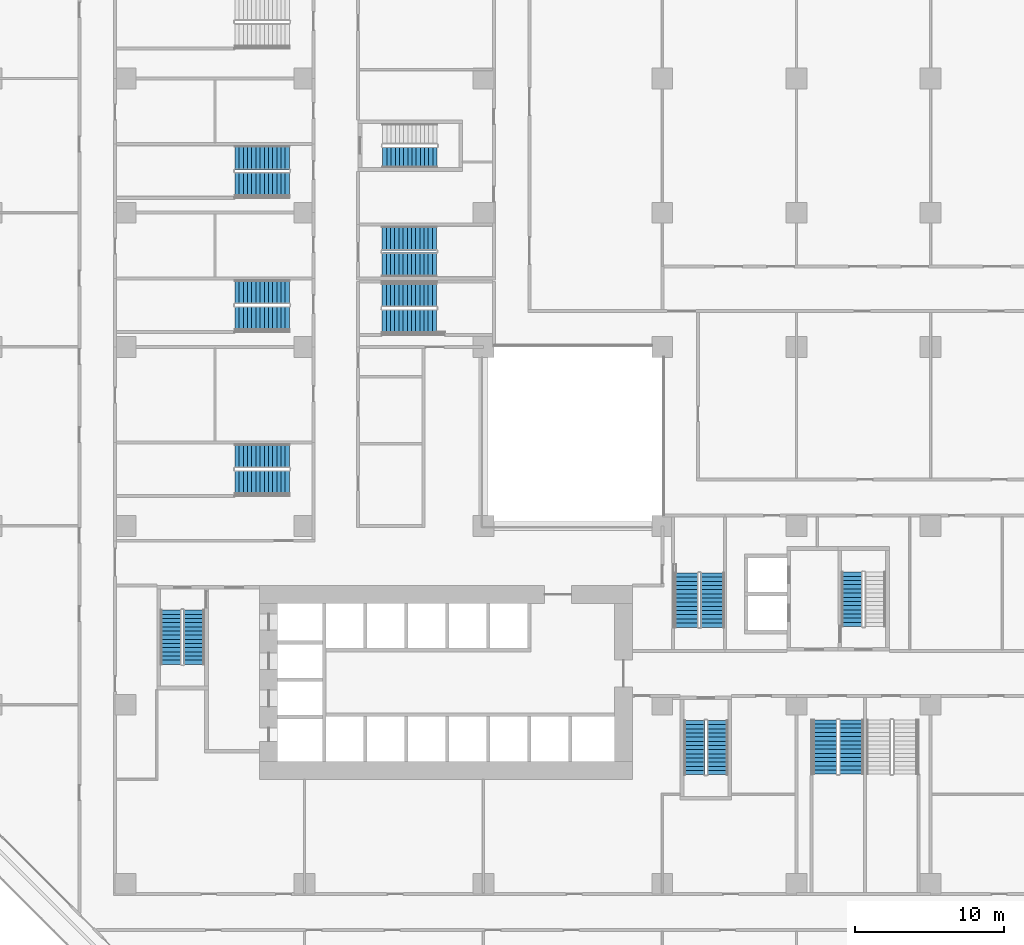
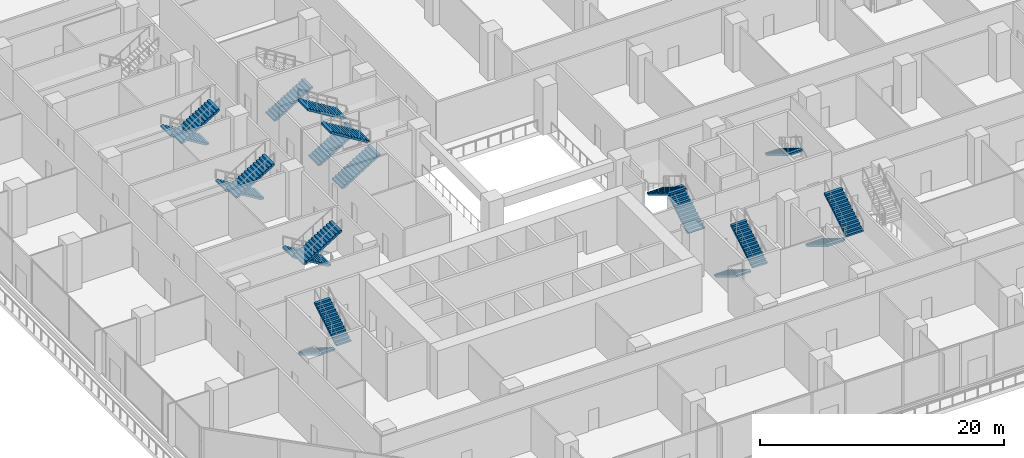
# One storey, part 23 of 31: 20 stair flights, 11 elements without a shape of their own.
"""IFC4 building model written with IfcOpenShell, lengths in metres."""

from ifc_helpers import new_model, si_unit, direction, frame, origin, place, context, subcontext, project, spatial, polyline, outline, extrude, material, type_object, element, aggregate, save


model = new_model("IFC4")

# Units and contexts
model_context = context("Model", 3, precision=1e-05, world=origin(), true_north=direction((0.0, 1.0)))
body_context = subcontext(model_context, "Body", "Model", "MODEL_VIEW")
ifc_project = project(units=[si_unit("LENGTHUNIT", "METRE"), si_unit("AREAUNIT", "SQUARE_METRE"), si_unit("VOLUMEUNIT", "CUBIC_METRE"), si_unit("PLANEANGLEUNIT", "RADIAN"), si_unit("MASSUNIT", "GRAM", prefix="KILO")], contexts=[model_context])

# Site, building, storey
site_placement = place(None, origin())
site = spatial("IfcSite", under=ifc_project, at=site_placement, CompositionType="ELEMENT")
building_placement = place(site_placement, origin())
building = spatial("IfcBuilding", under=site, at=building_placement, Name="Chenar Terraces", CompositionType="ELEMENT")
storey_placement = place(building_placement, frame((0.0, 0.0, 7.199951171875)))
storey = spatial("IfcBuildingStorey", under=building, at=storey_placement, Name="L01", CompositionType="ELEMENT", Elevation=7.199951171875)

# Stair, stair flights
ifc_material_1 = material(Name="Reinforced concrete C40/50", Category="concrete")
stair_type = type_object("IfcStairType", Name="Core stair 1400 half-turn", PredefinedType="HALF_TURN_STAIR", material=ifc_material_1)
placement = place(storey_placement, origin())
stair_1 = element("IfcStair", 1, at=placement, inside=storey, type_object=stair_type, Name="L01 Stair 1", PredefinedType="HALF_TURN_STAIR")
ifc_material_2 = material(Name="Reinforced concrete C40/50", Category="concrete")
stair_flight_type = type_object("IfcStairFlightType", Name="Core stair flight 1400", PredefinedType="STRAIGHT", material=ifc_material_2)
stair_flight_1_placement = place(storey_placement, frame((3.050048828125, 18.35009765625, 0.0), z_axis=(0.0, 0.0, 1.0), x_axis=(0.0, -1.0, 0.0)))
stair_flight_1 = element("IfcStairFlight", 2, at=stair_flight_1_placement, type_object=stair_flight_type, Name="ST1 flight 1", NumberOfRisers=14, NumberOfTreads=13, PredefinedType="STRAIGHT", RiserHeight=0.171428571, TreadLength=0.28, context=body_context, shape_type="SweptSolid", body=[
    extrude(outline(polyline([(-0.0029296875, 0.0), (-0.0029296875, 0.17138671875), (0.0, 0.17138671875), (0.280029296875, 0.17138671875), (0.280029296875, 0.3427734375), (0.56005859375, 0.3427734375), (0.56005859375, 0.514404296875), (0.840087890625, 0.514404296875), (0.840087890625, 0.685791015625), (1.1201171875, 0.685791015625), (1.1201171875, 0.857177734375), (1.39990234375, 0.857177734375), (1.39990234375, 1.028564453125), (1.679931640625, 1.028564453125), (1.679931640625, 1.199951171875), (1.9599609375, 1.199951171875), (1.9599609375, 1.371337890625), (2.239990234375, 1.371337890625), (2.239990234375, 1.54296875), (2.52001953125, 1.54296875), (2.52001953125, 1.71435546875), (2.800048828125, 1.71435546875), (2.800048828125, 1.8857421875), (3.080078125, 1.8857421875), (3.080078125, 2.05712890625), (3.360107421875, 2.05712890625), (3.360107421875, 2.228515625), (3.639892578125, 2.228515625), (3.64306640625, 2.228515625), (3.64306640625, 2.052734375), (3.639892578125, 2.052734375), (0.287109375, 0.0), (-0.0029296875, 0.0)])), frame((0.0, 0.699951171875, 0.0), z_axis=(0.0, -1.0, 0.0), x_axis=(1.0, 0.0, 0.0)), (0.0, 0.0, 1.0), 1.39990234375),
])
stair_flight_2_placement = place(storey_placement, frame((4.60009765625, 14.7099609375, 2.400146484375), z_axis=(0.0, 0.0, 1.0), x_axis=(0.0, 1.0, 0.0)))
stair_flight_2 = element("IfcStairFlight", 3, at=stair_flight_2_placement, type_object=stair_flight_type, Name="ST1 flight 2", NumberOfRisers=14, NumberOfTreads=13, PredefinedType="STRAIGHT", RiserHeight=0.171428571, TreadLength=0.28, context=body_context, shape_type="SweptSolid", body=[
    extrude(outline(polyline([(-0.0029296875, 0.0), (-0.0029296875, 0.17138671875), (0.0, 0.17138671875), (0.280029296875, 0.17138671875), (0.280029296875, 0.3427734375), (0.56005859375, 0.3427734375), (0.56005859375, 0.514404296875), (0.840087890625, 0.514404296875), (0.840087890625, 0.685791015625), (1.1201171875, 0.685791015625), (1.1201171875, 0.857177734375), (1.39990234375, 0.857177734375), (1.39990234375, 1.028564453125), (1.679931640625, 1.028564453125), (1.679931640625, 1.199951171875), (1.9599609375, 1.199951171875), (1.9599609375, 1.371337890625), (2.239990234375, 1.371337890625), (2.239990234375, 1.54296875), (2.52001953125, 1.54296875), (2.52001953125, 1.71435546875), (2.800048828125, 1.71435546875), (2.800048828125, 1.8857421875), (3.080078125, 1.8857421875), (3.080078125, 2.05712890625), (3.360107421875, 2.05712890625), (3.360107421875, 2.228515625), (3.639892578125, 2.228515625), (3.64306640625, 2.228515625), (3.64306640625, 2.052734375), (3.639892578125, 2.052734375), (0.287109375, 0.0), (-0.0029296875, 0.0)])), frame((0.0, 0.699951171875, 0.0), z_axis=(0.0, -1.0, 0.0), x_axis=(1.0, 0.0, 0.0)), (0.0, 0.0, 1.0), 1.39990234375),
])
aggregate(stair_1, [stair_flight_1, stair_flight_2])

stair_2 = element("IfcStair", 4, at=placement, inside=storey, type_object=stair_type, Name="L01 Stair 2", PredefinedType="HALF_TURN_STAIR")
stair_flight_3_placement = place(storey_placement, frame((38.14990234375, 10.949951171875, 0.0), z_axis=(0.0, 0.0, 1.0), x_axis=(0.0, -1.0, 0.0)))
stair_flight_3 = element("IfcStairFlight", 5, at=stair_flight_3_placement, type_object=stair_flight_type, Name="ST2 flight 1", NumberOfRisers=14, NumberOfTreads=13, PredefinedType="STRAIGHT", RiserHeight=0.171428571, TreadLength=0.28, context=body_context, shape_type="SweptSolid", body=[
    extrude(outline(polyline([(-0.0029296875, 0.0), (-0.0029296875, 0.17138671875), (0.0, 0.17138671875), (0.280029296875, 0.17138671875), (0.280029296875, 0.3427734375), (0.56005859375, 0.3427734375), (0.56005859375, 0.514404296875), (0.840087890625, 0.514404296875), (0.840087890625, 0.685791015625), (1.1201171875, 0.685791015625), (1.1201171875, 0.857177734375), (1.39990234375, 0.857177734375), (1.39990234375, 1.028564453125), (1.679931640625, 1.028564453125), (1.679931640625, 1.199951171875), (1.9599609375, 1.199951171875), (1.9599609375, 1.371337890625), (2.239990234375, 1.371337890625), (2.239990234375, 1.54296875), (2.52001953125, 1.54296875), (2.52001953125, 1.71435546875), (2.800048828125, 1.71435546875), (2.800048828125, 1.8857421875), (3.080078125, 1.8857421875), (3.080078125, 2.05712890625), (3.360107421875, 2.05712890625), (3.360107421875, 2.228515625), (3.639892578125, 2.228515625), (3.64306640625, 2.228515625), (3.64306640625, 2.052734375), (3.639892578125, 2.052734375), (0.287109375, 0.0), (-0.0029296875, 0.0)])), frame((0.0, 0.699951171875, 0.0), z_axis=(0.0, -1.0, 0.0), x_axis=(1.0, 0.0, 0.0)), (0.0, 0.0, 1.0), 1.39990234375),
])
stair_flight_4_placement = place(storey_placement, frame((39.699951171875, 7.31005859375, 2.400146484375), z_axis=(0.0, 0.0, 1.0), x_axis=(0.0, 1.0, 0.0)))
stair_flight_4 = element("IfcStairFlight", 6, at=stair_flight_4_placement, type_object=stair_flight_type, Name="ST2 flight 2", NumberOfRisers=14, NumberOfTreads=13, PredefinedType="STRAIGHT", RiserHeight=0.171428571, TreadLength=0.28, context=body_context, shape_type="SweptSolid", body=[
    extrude(outline(polyline([(-0.0029296875, 0.0), (-0.0029296875, 0.17138671875), (0.0, 0.17138671875), (0.280029296875, 0.17138671875), (0.280029296875, 0.3427734375), (0.56005859375, 0.3427734375), (0.56005859375, 0.514404296875), (0.840087890625, 0.514404296875), (0.840087890625, 0.685791015625), (1.1201171875, 0.685791015625), (1.1201171875, 0.857177734375), (1.39990234375, 0.857177734375), (1.39990234375, 1.028564453125), (1.679931640625, 1.028564453125), (1.679931640625, 1.199951171875), (1.9599609375, 1.199951171875), (1.9599609375, 1.371337890625), (2.239990234375, 1.371337890625), (2.239990234375, 1.54296875), (2.52001953125, 1.54296875), (2.52001953125, 1.71435546875), (2.800048828125, 1.71435546875), (2.800048828125, 1.8857421875), (3.080078125, 1.8857421875), (3.080078125, 2.05712890625), (3.360107421875, 2.05712890625), (3.360107421875, 2.228515625), (3.639892578125, 2.228515625), (3.64306640625, 2.228515625), (3.64306640625, 2.052734375), (3.639892578125, 2.052734375), (0.287109375, 0.0), (-0.0029296875, 0.0)])), frame((0.0, 0.699951171875, 0.0), z_axis=(0.0, -1.0, 0.0), x_axis=(1.0, 0.0, 0.0)), (0.0, 0.0, 1.0), 1.39990234375),
])
aggregate(stair_2, [stair_flight_3, stair_flight_4])

# Stair, stair flight
stair_3 = element("IfcStair", 7, at=placement, inside=storey, type_object=stair_type, Name="L01 Stair 3", PredefinedType="HALF_TURN_STAIR")
stair_flight_5_placement = place(storey_placement, frame((48.72509765625, 20.889892578125, 2.400146484375), z_axis=(0.0, 0.0, 1.0), x_axis=(0.0, -1.0, 0.0)))
stair_flight_5 = element("IfcStairFlight", 8, at=stair_flight_5_placement, type_object=stair_flight_type, Name="ST3 flight 2", NumberOfRisers=14, NumberOfTreads=13, PredefinedType="STRAIGHT", RiserHeight=0.171428571, TreadLength=0.28, context=body_context, shape_type="SweptSolid", body=[
    extrude(outline(polyline([(-0.0029296875, 0.0), (-0.0029296875, 0.17138671875), (0.0, 0.17138671875), (0.280029296875, 0.17138671875), (0.280029296875, 0.3427734375), (0.56005859375, 0.3427734375), (0.56005859375, 0.514404296875), (0.840087890625, 0.514404296875), (0.840087890625, 0.685791015625), (1.1201171875, 0.685791015625), (1.1201171875, 0.857177734375), (1.39990234375, 0.857177734375), (1.39990234375, 1.028564453125), (1.679931640625, 1.028564453125), (1.679931640625, 1.199951171875), (1.9599609375, 1.199951171875), (1.9599609375, 1.371337890625), (2.239990234375, 1.371337890625), (2.239990234375, 1.54296875), (2.52001953125, 1.54296875), (2.52001953125, 1.71435546875), (2.800048828125, 1.71435546875), (2.800048828125, 1.8857421875), (3.080078125, 1.8857421875), (3.080078125, 2.05712890625), (3.360107421875, 2.05712890625), (3.360107421875, 2.228515625), (3.639892578125, 2.228515625), (3.64306640625, 2.228515625), (3.64306640625, 2.052734375), (3.639892578125, 2.052734375), (0.287109375, 0.0), (-0.0029296875, 0.0)])), frame((0.0, 0.699951171875, 0.0), z_axis=(0.0, -1.0, 0.0), x_axis=(1.0, 0.0, 0.0)), (0.0, 0.0, 1.0), 1.39990234375),
])
aggregate(stair_3, [stair_flight_5])

stair_4 = element("IfcStair", 9, at=placement, inside=storey, type_object=stair_type, Name="L01 Stair 4", PredefinedType="HALF_TURN_STAIR")
stair_flight_6_placement = place(storey_placement, frame((17.25, 48.72509765625, 0.0), z_axis=(0.0, 0.0, 1.0), x_axis=(1.0, 0.0, 0.0)))
stair_flight_6 = element("IfcStairFlight", 10, at=stair_flight_6_placement, type_object=stair_flight_type, Name="ST4 flight 1", NumberOfRisers=14, NumberOfTreads=13, PredefinedType="STRAIGHT", RiserHeight=0.171428571, TreadLength=0.28, context=body_context, shape_type="SweptSolid", body=[
    extrude(outline(polyline([(-0.0029296875, 0.0), (-0.0029296875, 0.17138671875), (0.0, 0.17138671875), (0.280029296875, 0.17138671875), (0.280029296875, 0.3427734375), (0.56005859375, 0.3427734375), (0.56005859375, 0.514404296875), (0.840087890625, 0.514404296875), (0.840087890625, 0.685791015625), (1.1201171875, 0.685791015625), (1.1201171875, 0.857177734375), (1.39990234375, 0.857177734375), (1.39990234375, 1.028564453125), (1.679931640625, 1.028564453125), (1.679931640625, 1.199951171875), (1.9599609375, 1.199951171875), (1.9599609375, 1.371337890625), (2.239990234375, 1.371337890625), (2.239990234375, 1.54296875), (2.52001953125, 1.54296875), (2.52001953125, 1.71435546875), (2.800048828125, 1.71435546875), (2.800048828125, 1.8857421875), (3.080078125, 1.8857421875), (3.080078125, 2.05712890625), (3.360107421875, 2.05712890625), (3.360107421875, 2.228515625), (3.639892578125, 2.228515625), (3.64306640625, 2.228515625), (3.64306640625, 2.052734375), (3.639892578125, 2.052734375), (0.287109375, 0.0), (-0.0029296875, 0.0)])), frame((0.0, 0.699951171875, 0.0), z_axis=(0.0, -1.0, 0.0), x_axis=(1.0, 0.0, 0.0)), (0.0, 0.0, 1.0), 1.39990234375),
])
aggregate(stair_4, [stair_flight_6])

# Stair, stair flights
stair_5 = element("IfcStair", 11, at=placement, inside=storey, type_object=stair_type, Name="L01 Exit stair PS1", PredefinedType="HALF_TURN_STAIR")
stair_flight_7_placement = place(storey_placement, frame((39.375, 17.199951171875, 0.0), z_axis=(0.0, 0.0, 1.0), x_axis=(0.0, 1.0, 0.0)))
stair_flight_7 = element("IfcStairFlight", 12, at=stair_flight_7_placement, type_object=stair_flight_type, Name="PS1 flight 1", NumberOfRisers=14, NumberOfTreads=13, PredefinedType="STRAIGHT", RiserHeight=0.171428571, TreadLength=0.28, context=body_context, shape_type="SweptSolid", body=[
    extrude(outline(polyline([(-0.0029296875, 0.0), (-0.0029296875, 0.17138671875), (0.0, 0.17138671875), (0.280029296875, 0.17138671875), (0.280029296875, 0.3427734375), (0.56005859375, 0.3427734375), (0.56005859375, 0.514404296875), (0.840087890625, 0.514404296875), (0.840087890625, 0.685791015625), (1.1201171875, 0.685791015625), (1.1201171875, 0.857177734375), (1.39990234375, 0.857177734375), (1.39990234375, 1.028564453125), (1.679931640625, 1.028564453125), (1.679931640625, 1.199951171875), (1.9599609375, 1.199951171875), (1.9599609375, 1.371337890625), (2.239990234375, 1.371337890625), (2.239990234375, 1.54296875), (2.52001953125, 1.54296875), (2.52001953125, 1.71435546875), (2.800048828125, 1.71435546875), (2.800048828125, 1.8857421875), (3.080078125, 1.8857421875), (3.080078125, 2.05712890625), (3.360107421875, 2.05712890625), (3.360107421875, 2.228515625), (3.639892578125, 2.228515625), (3.64306640625, 2.228515625), (3.64306640625, 2.052734375), (3.639892578125, 2.052734375), (0.287109375, 0.0), (-0.0029296875, 0.0)])), frame((0.0, 0.800048828125, 0.0), z_axis=(0.0, -1.0, 0.0), x_axis=(1.0, 0.0, 0.0)), (0.0, 0.0, 1.0), 1.60009765625),
])
stair_flight_8_placement = place(storey_placement, frame((37.625, 20.840087890625, 2.400146484375), z_axis=(0.0, 0.0, 1.0), x_axis=(0.0, -1.0, 0.0)))
stair_flight_8 = element("IfcStairFlight", 13, at=stair_flight_8_placement, type_object=stair_flight_type, Name="PS1 flight 2", NumberOfRisers=14, NumberOfTreads=13, PredefinedType="STRAIGHT", RiserHeight=0.171428571, TreadLength=0.28, context=body_context, shape_type="SweptSolid", body=[
    extrude(outline(polyline([(-0.0029296875, 0.0), (-0.0029296875, 0.17138671875), (0.0, 0.17138671875), (0.280029296875, 0.17138671875), (0.280029296875, 0.3427734375), (0.56005859375, 0.3427734375), (0.56005859375, 0.514404296875), (0.840087890625, 0.514404296875), (0.840087890625, 0.685791015625), (1.1201171875, 0.685791015625), (1.1201171875, 0.857177734375), (1.39990234375, 0.857177734375), (1.39990234375, 1.028564453125), (1.679931640625, 1.028564453125), (1.679931640625, 1.199951171875), (1.9599609375, 1.199951171875), (1.9599609375, 1.371337890625), (2.239990234375, 1.371337890625), (2.239990234375, 1.54296875), (2.52001953125, 1.54296875), (2.52001953125, 1.71435546875), (2.800048828125, 1.71435546875), (2.800048828125, 1.8857421875), (3.080078125, 1.8857421875), (3.080078125, 2.05712890625), (3.360107421875, 2.05712890625), (3.360107421875, 2.228515625), (3.639892578125, 2.228515625), (3.64306640625, 2.228515625), (3.64306640625, 2.052734375), (3.639892578125, 2.052734375), (0.287109375, 0.0), (-0.0029296875, 0.0)])), frame((0.0, 0.800048828125, 0.0), z_axis=(0.0, -1.0, 0.0), x_axis=(1.0, 0.0, 0.0)), (0.0, 0.0, 1.0), 1.60009765625),
])
aggregate(stair_5, [stair_flight_7, stair_flight_8])

stair_6 = element("IfcStair", 14, at=placement, inside=storey, type_object=stair_type, Name="L01 Exit stair PS4", PredefinedType="HALF_TURN_STAIR")
stair_flight_9_placement = place(storey_placement, frame((10.985107421875, 48.6826171875, 0.0), z_axis=(0.0, 0.0, 1.0), x_axis=(-1.0, 0.0, 0.0)))
stair_flight_9 = element("IfcStairFlight", 15, at=stair_flight_9_placement, type_object=stair_flight_type, Name="PS4 flight 1", NumberOfRisers=14, NumberOfTreads=13, PredefinedType="STRAIGHT", RiserHeight=0.171428571, TreadLength=0.28, context=body_context, shape_type="SweptSolid", body=[
    extrude(outline(polyline([(-0.0029296875, 0.0), (-0.0029296875, 0.17138671875), (0.0, 0.17138671875), (0.280029296875, 0.17138671875), (0.280029296875, 0.3427734375), (0.56005859375, 0.3427734375), (0.56005859375, 0.514404296875), (0.840087890625, 0.514404296875), (0.840087890625, 0.685791015625), (1.1201171875, 0.685791015625), (1.1201171875, 0.857177734375), (1.39990234375, 0.857177734375), (1.39990234375, 1.028564453125), (1.679931640625, 1.028564453125), (1.679931640625, 1.199951171875), (1.9599609375, 1.199951171875), (1.9599609375, 1.371337890625), (2.239990234375, 1.371337890625), (2.239990234375, 1.54296875), (2.52001953125, 1.54296875), (2.52001953125, 1.71435546875), (2.800048828125, 1.71435546875), (2.800048828125, 1.8857421875), (3.080078125, 1.8857421875), (3.080078125, 2.05712890625), (3.360107421875, 2.05712890625), (3.360107421875, 2.228515625), (3.639892578125, 2.228515625), (3.64306640625, 2.228515625), (3.64306640625, 2.052734375), (3.639892578125, 2.052734375), (0.287109375, 0.0), (-0.0029296875, 0.0)])), frame((0.0, 0.8076171875, 0.0), z_axis=(0.0, -1.0, 0.0), x_axis=(1.0, 0.0, 0.0)), (0.0, 0.0, 1.0), 1.614990234375),
])
stair_flight_10_placement = place(storey_placement, frame((7.344970703125, 46.91748046875, 2.400146484375), z_axis=(0.0, 0.0, 1.0), x_axis=(1.0, 0.0, 0.0)))
stair_flight_10 = element("IfcStairFlight", 16, at=stair_flight_10_placement, type_object=stair_flight_type, Name="PS4 flight 2", NumberOfRisers=14, NumberOfTreads=13, PredefinedType="STRAIGHT", RiserHeight=0.171428571, TreadLength=0.28, context=body_context, shape_type="SweptSolid", body=[
    extrude(outline(polyline([(-0.0029296875, 0.0), (-0.0029296875, 0.17138671875), (0.0, 0.17138671875), (0.280029296875, 0.17138671875), (0.280029296875, 0.3427734375), (0.56005859375, 0.3427734375), (0.56005859375, 0.514404296875), (0.840087890625, 0.514404296875), (0.840087890625, 0.685791015625), (1.1201171875, 0.685791015625), (1.1201171875, 0.857177734375), (1.39990234375, 0.857177734375), (1.39990234375, 1.028564453125), (1.679931640625, 1.028564453125), (1.679931640625, 1.199951171875), (1.9599609375, 1.199951171875), (1.9599609375, 1.371337890625), (2.239990234375, 1.371337890625), (2.239990234375, 1.54296875), (2.52001953125, 1.54296875), (2.52001953125, 1.71435546875), (2.800048828125, 1.71435546875), (2.800048828125, 1.8857421875), (3.080078125, 1.8857421875), (3.080078125, 2.05712890625), (3.360107421875, 2.05712890625), (3.360107421875, 2.228515625), (3.639892578125, 2.228515625), (3.64306640625, 2.228515625), (3.64306640625, 2.052734375), (3.639892578125, 2.052734375), (0.287109375, 0.0), (-0.0029296875, 0.0)])), frame((0.0, 0.8076171875, 0.0), z_axis=(0.0, -1.0, 0.0), x_axis=(1.0, 0.0, 0.0)), (0.0, 0.0, 1.0), 1.614990234375),
])
aggregate(stair_6, [stair_flight_9, stair_flight_10])

stair_7 = element("IfcStair", 17, at=placement, inside=storey, type_object=stair_type, Name="L01 Exit stair PS5", PredefinedType="HALF_TURN_STAIR")
stair_flight_11_placement = place(storey_placement, frame((10.985107421875, 28.6826171875, 0.0), z_axis=(0.0, 0.0, 1.0), x_axis=(-1.0, 0.0, 0.0)))
stair_flight_11 = element("IfcStairFlight", 18, at=stair_flight_11_placement, type_object=stair_flight_type, Name="PS5 flight 1", NumberOfRisers=14, NumberOfTreads=13, PredefinedType="STRAIGHT", RiserHeight=0.171428571, TreadLength=0.28, context=body_context, shape_type="SweptSolid", body=[
    extrude(outline(polyline([(-0.0029296875, 0.0), (-0.0029296875, 0.17138671875), (0.0, 0.17138671875), (0.280029296875, 0.17138671875), (0.280029296875, 0.3427734375), (0.56005859375, 0.3427734375), (0.56005859375, 0.514404296875), (0.840087890625, 0.514404296875), (0.840087890625, 0.685791015625), (1.1201171875, 0.685791015625), (1.1201171875, 0.857177734375), (1.39990234375, 0.857177734375), (1.39990234375, 1.028564453125), (1.679931640625, 1.028564453125), (1.679931640625, 1.199951171875), (1.9599609375, 1.199951171875), (1.9599609375, 1.371337890625), (2.239990234375, 1.371337890625), (2.239990234375, 1.54296875), (2.52001953125, 1.54296875), (2.52001953125, 1.71435546875), (2.800048828125, 1.71435546875), (2.800048828125, 1.8857421875), (3.080078125, 1.8857421875), (3.080078125, 2.05712890625), (3.360107421875, 2.05712890625), (3.360107421875, 2.228515625), (3.639892578125, 2.228515625), (3.64306640625, 2.228515625), (3.64306640625, 2.052734375), (3.639892578125, 2.052734375), (0.287109375, 0.0), (-0.0029296875, 0.0)])), frame((0.0, 0.8076171875, 0.0), z_axis=(0.0, -1.0, 0.0), x_axis=(1.0, 0.0, 0.0)), (0.0, 0.0, 1.0), 1.614990234375),
])
stair_flight_12_placement = place(storey_placement, frame((7.344970703125, 26.91748046875, 2.400146484375), z_axis=(0.0, 0.0, 1.0), x_axis=(1.0, 0.0, 0.0)))
stair_flight_12 = element("IfcStairFlight", 19, at=stair_flight_12_placement, type_object=stair_flight_type, Name="PS5 flight 2", NumberOfRisers=14, NumberOfTreads=13, PredefinedType="STRAIGHT", RiserHeight=0.171428571, TreadLength=0.28, context=body_context, shape_type="SweptSolid", body=[
    extrude(outline(polyline([(-0.0029296875, 0.0), (-0.0029296875, 0.17138671875), (0.0, 0.17138671875), (0.280029296875, 0.17138671875), (0.280029296875, 0.3427734375), (0.56005859375, 0.3427734375), (0.56005859375, 0.514404296875), (0.840087890625, 0.514404296875), (0.840087890625, 0.685791015625), (1.1201171875, 0.685791015625), (1.1201171875, 0.857177734375), (1.39990234375, 0.857177734375), (1.39990234375, 1.028564453125), (1.679931640625, 1.028564453125), (1.679931640625, 1.199951171875), (1.9599609375, 1.199951171875), (1.9599609375, 1.371337890625), (2.239990234375, 1.371337890625), (2.239990234375, 1.54296875), (2.52001953125, 1.54296875), (2.52001953125, 1.71435546875), (2.800048828125, 1.71435546875), (2.800048828125, 1.8857421875), (3.080078125, 1.8857421875), (3.080078125, 2.05712890625), (3.360107421875, 2.05712890625), (3.360107421875, 2.228515625), (3.639892578125, 2.228515625), (3.64306640625, 2.228515625), (3.64306640625, 2.052734375), (3.639892578125, 2.052734375), (0.287109375, 0.0), (-0.0029296875, 0.0)])), frame((0.0, 0.8076171875, 0.0), z_axis=(0.0, -1.0, 0.0), x_axis=(1.0, 0.0, 0.0)), (0.0, 0.0, 1.0), 1.614990234375),
])
aggregate(stair_7, [stair_flight_11, stair_flight_12])

stair_8 = element("IfcStair", 20, at=placement, inside=storey, type_object=stair_type, Name="L01 Exit stair PS6", PredefinedType="HALF_TURN_STAIR")
stair_flight_13_placement = place(storey_placement, frame((46.91748046875, 10.985107421875, 0.0), z_axis=(0.0, 0.0, 1.0), x_axis=(0.0, -1.0, 0.0)))
stair_flight_13 = element("IfcStairFlight", 21, at=stair_flight_13_placement, type_object=stair_flight_type, Name="PS6 flight 1", NumberOfRisers=14, NumberOfTreads=13, PredefinedType="STRAIGHT", RiserHeight=0.171428571, TreadLength=0.28, context=body_context, shape_type="SweptSolid", body=[
    extrude(outline(polyline([(-0.0029296875, 0.0), (-0.0029296875, 0.17138671875), (0.0, 0.17138671875), (0.280029296875, 0.17138671875), (0.280029296875, 0.3427734375), (0.56005859375, 0.3427734375), (0.56005859375, 0.514404296875), (0.840087890625, 0.514404296875), (0.840087890625, 0.685791015625), (1.1201171875, 0.685791015625), (1.1201171875, 0.857177734375), (1.39990234375, 0.857177734375), (1.39990234375, 1.028564453125), (1.679931640625, 1.028564453125), (1.679931640625, 1.199951171875), (1.9599609375, 1.199951171875), (1.9599609375, 1.371337890625), (2.239990234375, 1.371337890625), (2.239990234375, 1.54296875), (2.52001953125, 1.54296875), (2.52001953125, 1.71435546875), (2.800048828125, 1.71435546875), (2.800048828125, 1.8857421875), (3.080078125, 1.8857421875), (3.080078125, 2.05712890625), (3.360107421875, 2.05712890625), (3.360107421875, 2.228515625), (3.639892578125, 2.228515625), (3.64306640625, 2.228515625), (3.64306640625, 2.052734375), (3.639892578125, 2.052734375), (0.287109375, 0.0), (-0.0029296875, 0.0)])), frame((0.0, 0.8076171875, 0.0), z_axis=(0.0, -1.0, 0.0), x_axis=(1.0, 0.0, 0.0)), (0.0, 0.0, 1.0), 1.614990234375),
])
stair_flight_14_placement = place(storey_placement, frame((48.6826171875, 7.344970703125, 2.400146484375), z_axis=(0.0, 0.0, 1.0), x_axis=(0.0, 1.0, 0.0)))
stair_flight_14 = element("IfcStairFlight", 22, at=stair_flight_14_placement, type_object=stair_flight_type, Name="PS6 flight 2", NumberOfRisers=14, NumberOfTreads=13, PredefinedType="STRAIGHT", RiserHeight=0.171428571, TreadLength=0.28, context=body_context, shape_type="SweptSolid", body=[
    extrude(outline(polyline([(-0.0029296875, 0.0), (-0.0029296875, 0.17138671875), (0.0, 0.17138671875), (0.280029296875, 0.17138671875), (0.280029296875, 0.3427734375), (0.56005859375, 0.3427734375), (0.56005859375, 0.514404296875), (0.840087890625, 0.514404296875), (0.840087890625, 0.685791015625), (1.1201171875, 0.685791015625), (1.1201171875, 0.857177734375), (1.39990234375, 0.857177734375), (1.39990234375, 1.028564453125), (1.679931640625, 1.028564453125), (1.679931640625, 1.199951171875), (1.9599609375, 1.199951171875), (1.9599609375, 1.371337890625), (2.239990234375, 1.371337890625), (2.239990234375, 1.54296875), (2.52001953125, 1.54296875), (2.52001953125, 1.71435546875), (2.800048828125, 1.71435546875), (2.800048828125, 1.8857421875), (3.080078125, 1.8857421875), (3.080078125, 2.05712890625), (3.360107421875, 2.05712890625), (3.360107421875, 2.228515625), (3.639892578125, 2.228515625), (3.64306640625, 2.228515625), (3.64306640625, 2.052734375), (3.639892578125, 2.052734375), (0.287109375, 0.0), (-0.0029296875, 0.0)])), frame((0.0, 0.8076171875, 0.0), z_axis=(0.0, -1.0, 0.0), x_axis=(1.0, 0.0, 0.0)), (0.0, 0.0, 1.0), 1.614990234375),
])
aggregate(stair_8, [stair_flight_13, stair_flight_14])

stair_9 = element("IfcStair", 23, at=placement, inside=storey, type_object=stair_type, Name="L01 Exit stair PS7", PredefinedType="HALF_TURN_STAIR")
stair_flight_15_placement = place(storey_placement, frame((17.215087890625, 37.717529296875, 0.0), z_axis=(0.0, 0.0, 1.0), x_axis=(1.0, 0.0, 0.0)))
stair_flight_15 = element("IfcStairFlight", 24, at=stair_flight_15_placement, type_object=stair_flight_type, Name="PS7 flight 1", NumberOfRisers=14, NumberOfTreads=13, PredefinedType="STRAIGHT", RiserHeight=0.171428571, TreadLength=0.28, context=body_context, shape_type="SweptSolid", body=[
    extrude(outline(polyline([(-0.0029296875, 0.0), (-0.0029296875, 0.17138671875), (0.0, 0.17138671875), (0.280029296875, 0.17138671875), (0.280029296875, 0.3427734375), (0.56005859375, 0.3427734375), (0.56005859375, 0.514404296875), (0.840087890625, 0.514404296875), (0.840087890625, 0.685791015625), (1.1201171875, 0.685791015625), (1.1201171875, 0.857177734375), (1.39990234375, 0.857177734375), (1.39990234375, 1.028564453125), (1.679931640625, 1.028564453125), (1.679931640625, 1.199951171875), (1.9599609375, 1.199951171875), (1.9599609375, 1.371337890625), (2.239990234375, 1.371337890625), (2.239990234375, 1.54296875), (2.52001953125, 1.54296875), (2.52001953125, 1.71435546875), (2.800048828125, 1.71435546875), (2.800048828125, 1.8857421875), (3.080078125, 1.8857421875), (3.080078125, 2.05712890625), (3.360107421875, 2.05712890625), (3.360107421875, 2.228515625), (3.639892578125, 2.228515625), (3.64306640625, 2.228515625), (3.64306640625, 2.052734375), (3.639892578125, 2.052734375), (0.287109375, 0.0), (-0.0029296875, 0.0)])), frame((0.0, 0.8076171875, 0.0), z_axis=(0.0, -1.0, 0.0), x_axis=(1.0, 0.0, 0.0)), (0.0, 0.0, 1.0), 1.614990234375),
])
stair_flight_16_placement = place(storey_placement, frame((20.85498046875, 39.482421875, 2.400146484375), z_axis=(0.0, 0.0, 1.0), x_axis=(-1.0, 0.0, 0.0)))
stair_flight_16 = element("IfcStairFlight", 25, at=stair_flight_16_placement, type_object=stair_flight_type, Name="PS7 flight 2", NumberOfRisers=14, NumberOfTreads=13, PredefinedType="STRAIGHT", RiserHeight=0.171428571, TreadLength=0.28, context=body_context, shape_type="SweptSolid", body=[
    extrude(outline(polyline([(-0.0029296875, 0.0), (-0.0029296875, 0.17138671875), (0.0, 0.17138671875), (0.280029296875, 0.17138671875), (0.280029296875, 0.3427734375), (0.56005859375, 0.3427734375), (0.56005859375, 0.514404296875), (0.840087890625, 0.514404296875), (0.840087890625, 0.685791015625), (1.1201171875, 0.685791015625), (1.1201171875, 0.857177734375), (1.39990234375, 0.857177734375), (1.39990234375, 1.028564453125), (1.679931640625, 1.028564453125), (1.679931640625, 1.199951171875), (1.9599609375, 1.199951171875), (1.9599609375, 1.371337890625), (2.239990234375, 1.371337890625), (2.239990234375, 1.54296875), (2.52001953125, 1.54296875), (2.52001953125, 1.71435546875), (2.800048828125, 1.71435546875), (2.800048828125, 1.8857421875), (3.080078125, 1.8857421875), (3.080078125, 2.05712890625), (3.360107421875, 2.05712890625), (3.360107421875, 2.228515625), (3.639892578125, 2.228515625), (3.64306640625, 2.228515625), (3.64306640625, 2.052734375), (3.639892578125, 2.052734375), (0.287109375, 0.0), (-0.0029296875, 0.0)])), frame((0.0, 0.8076171875, 0.0), z_axis=(0.0, -1.0, 0.0), x_axis=(1.0, 0.0, 0.0)), (0.0, 0.0, 1.0), 1.614990234375),
])
aggregate(stair_9, [stair_flight_15, stair_flight_16])

stair_10 = element("IfcStair", 26, at=placement, inside=storey, type_object=stair_type, Name="L01 Exit stair PS8", PredefinedType="HALF_TURN_STAIR")
stair_flight_17_placement = place(storey_placement, frame((17.215087890625, 41.517578125, 0.0), z_axis=(0.0, 0.0, 1.0), x_axis=(1.0, 0.0, 0.0)))
stair_flight_17 = element("IfcStairFlight", 27, at=stair_flight_17_placement, type_object=stair_flight_type, Name="PS8 flight 1", NumberOfRisers=14, NumberOfTreads=13, PredefinedType="STRAIGHT", RiserHeight=0.171428571, TreadLength=0.28, context=body_context, shape_type="SweptSolid", body=[
    extrude(outline(polyline([(-0.0029296875, 0.0), (-0.0029296875, 0.17138671875), (0.0, 0.17138671875), (0.280029296875, 0.17138671875), (0.280029296875, 0.3427734375), (0.56005859375, 0.3427734375), (0.56005859375, 0.514404296875), (0.840087890625, 0.514404296875), (0.840087890625, 0.685791015625), (1.1201171875, 0.685791015625), (1.1201171875, 0.857177734375), (1.39990234375, 0.857177734375), (1.39990234375, 1.028564453125), (1.679931640625, 1.028564453125), (1.679931640625, 1.199951171875), (1.9599609375, 1.199951171875), (1.9599609375, 1.371337890625), (2.239990234375, 1.371337890625), (2.239990234375, 1.54296875), (2.52001953125, 1.54296875), (2.52001953125, 1.71435546875), (2.800048828125, 1.71435546875), (2.800048828125, 1.8857421875), (3.080078125, 1.8857421875), (3.080078125, 2.05712890625), (3.360107421875, 2.05712890625), (3.360107421875, 2.228515625), (3.639892578125, 2.228515625), (3.64306640625, 2.228515625), (3.64306640625, 2.052734375), (3.639892578125, 2.052734375), (0.287109375, 0.0), (-0.0029296875, 0.0)])), frame((0.0, 0.8076171875, 0.0), z_axis=(0.0, -1.0, 0.0), x_axis=(1.0, 0.0, 0.0)), (0.0, 0.0, 1.0), 1.614990234375),
])
stair_flight_18_placement = place(storey_placement, frame((20.85498046875, 43.282470703125, 2.400146484375), z_axis=(0.0, 0.0, 1.0), x_axis=(-1.0, 0.0, 0.0)))
stair_flight_18 = element("IfcStairFlight", 28, at=stair_flight_18_placement, type_object=stair_flight_type, Name="PS8 flight 2", NumberOfRisers=14, NumberOfTreads=13, PredefinedType="STRAIGHT", RiserHeight=0.171428571, TreadLength=0.28, context=body_context, shape_type="SweptSolid", body=[
    extrude(outline(polyline([(-0.0029296875, 0.0), (-0.0029296875, 0.17138671875), (0.0, 0.17138671875), (0.280029296875, 0.17138671875), (0.280029296875, 0.3427734375), (0.56005859375, 0.3427734375), (0.56005859375, 0.514404296875), (0.840087890625, 0.514404296875), (0.840087890625, 0.685791015625), (1.1201171875, 0.685791015625), (1.1201171875, 0.857177734375), (1.39990234375, 0.857177734375), (1.39990234375, 1.028564453125), (1.679931640625, 1.028564453125), (1.679931640625, 1.199951171875), (1.9599609375, 1.199951171875), (1.9599609375, 1.371337890625), (2.239990234375, 1.371337890625), (2.239990234375, 1.54296875), (2.52001953125, 1.54296875), (2.52001953125, 1.71435546875), (2.800048828125, 1.71435546875), (2.800048828125, 1.8857421875), (3.080078125, 1.8857421875), (3.080078125, 2.05712890625), (3.360107421875, 2.05712890625), (3.360107421875, 2.228515625), (3.639892578125, 2.228515625), (3.64306640625, 2.228515625), (3.64306640625, 2.052734375), (3.639892578125, 2.052734375), (0.287109375, 0.0), (-0.0029296875, 0.0)])), frame((0.0, 0.8076171875, 0.0), z_axis=(0.0, -1.0, 0.0), x_axis=(1.0, 0.0, 0.0)), (0.0, 0.0, 1.0), 1.614990234375),
])
aggregate(stair_10, [stair_flight_17, stair_flight_18])

stair_11 = element("IfcStair", 29, at=placement, inside=storey, type_object=stair_type, Name="L01 Exit stair PS9", PredefinedType="HALF_TURN_STAIR")
stair_flight_19_placement = place(storey_placement, frame((10.985107421875, 39.6826171875, 0.0), z_axis=(0.0, 0.0, 1.0), x_axis=(-1.0, 0.0, 0.0)))
stair_flight_19 = element("IfcStairFlight", 30, at=stair_flight_19_placement, type_object=stair_flight_type, Name="PS9 flight 1", NumberOfRisers=14, NumberOfTreads=13, PredefinedType="STRAIGHT", RiserHeight=0.171428571, TreadLength=0.28, context=body_context, shape_type="SweptSolid", body=[
    extrude(outline(polyline([(-0.0029296875, 0.0), (-0.0029296875, 0.17138671875), (0.0, 0.17138671875), (0.280029296875, 0.17138671875), (0.280029296875, 0.3427734375), (0.56005859375, 0.3427734375), (0.56005859375, 0.514404296875), (0.840087890625, 0.514404296875), (0.840087890625, 0.685791015625), (1.1201171875, 0.685791015625), (1.1201171875, 0.857177734375), (1.39990234375, 0.857177734375), (1.39990234375, 1.028564453125), (1.679931640625, 1.028564453125), (1.679931640625, 1.199951171875), (1.9599609375, 1.199951171875), (1.9599609375, 1.371337890625), (2.239990234375, 1.371337890625), (2.239990234375, 1.54296875), (2.52001953125, 1.54296875), (2.52001953125, 1.71435546875), (2.800048828125, 1.71435546875), (2.800048828125, 1.8857421875), (3.080078125, 1.8857421875), (3.080078125, 2.05712890625), (3.360107421875, 2.05712890625), (3.360107421875, 2.228515625), (3.639892578125, 2.228515625), (3.64306640625, 2.228515625), (3.64306640625, 2.052734375), (3.639892578125, 2.052734375), (0.287109375, 0.0), (-0.0029296875, 0.0)])), frame((0.0, 0.8076171875, 0.0), z_axis=(0.0, -1.0, 0.0), x_axis=(1.0, 0.0, 0.0)), (0.0, 0.0, 1.0), 1.614990234375),
])
stair_flight_20_placement = place(storey_placement, frame((7.344970703125, 37.91748046875, 2.400146484375), z_axis=(0.0, 0.0, 1.0), x_axis=(1.0, 0.0, 0.0)))
stair_flight_20 = element("IfcStairFlight", 31, at=stair_flight_20_placement, type_object=stair_flight_type, Name="PS9 flight 2", NumberOfRisers=14, NumberOfTreads=13, PredefinedType="STRAIGHT", RiserHeight=0.171428571, TreadLength=0.28, context=body_context, shape_type="SweptSolid", body=[
    extrude(outline(polyline([(-0.0029296875, 0.0), (-0.0029296875, 0.17138671875), (0.0, 0.17138671875), (0.280029296875, 0.17138671875), (0.280029296875, 0.3427734375), (0.56005859375, 0.3427734375), (0.56005859375, 0.514404296875), (0.840087890625, 0.514404296875), (0.840087890625, 0.685791015625), (1.1201171875, 0.685791015625), (1.1201171875, 0.857177734375), (1.39990234375, 0.857177734375), (1.39990234375, 1.028564453125), (1.679931640625, 1.028564453125), (1.679931640625, 1.199951171875), (1.9599609375, 1.199951171875), (1.9599609375, 1.371337890625), (2.239990234375, 1.371337890625), (2.239990234375, 1.54296875), (2.52001953125, 1.54296875), (2.52001953125, 1.71435546875), (2.800048828125, 1.71435546875), (2.800048828125, 1.8857421875), (3.080078125, 1.8857421875), (3.080078125, 2.05712890625), (3.360107421875, 2.05712890625), (3.360107421875, 2.228515625), (3.639892578125, 2.228515625), (3.64306640625, 2.228515625), (3.64306640625, 2.052734375), (3.639892578125, 2.052734375), (0.287109375, 0.0), (-0.0029296875, 0.0)])), frame((0.0, 0.8076171875, 0.0), z_axis=(0.0, -1.0, 0.0), x_axis=(1.0, 0.0, 0.0)), (0.0, 0.0, 1.0), 1.614990234375),
])
aggregate(stair_11, [stair_flight_19, stair_flight_20])

save(model, "model.ifc")
